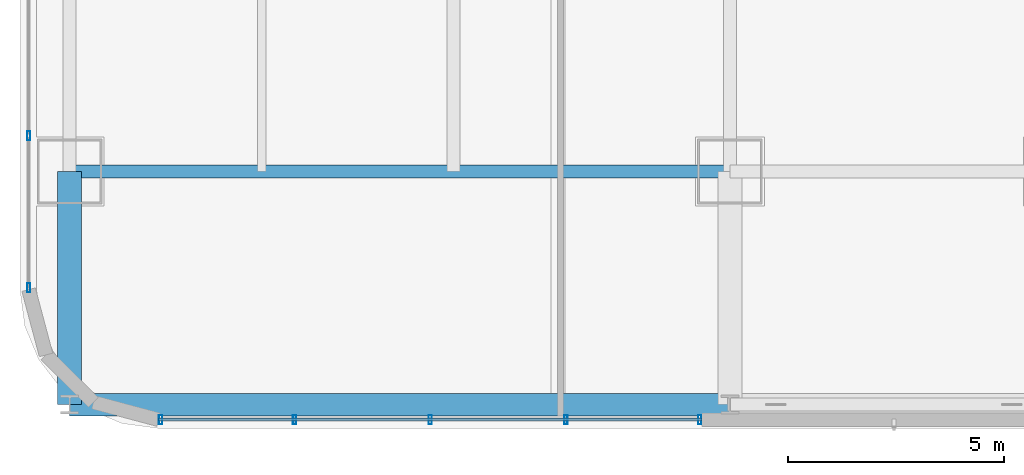
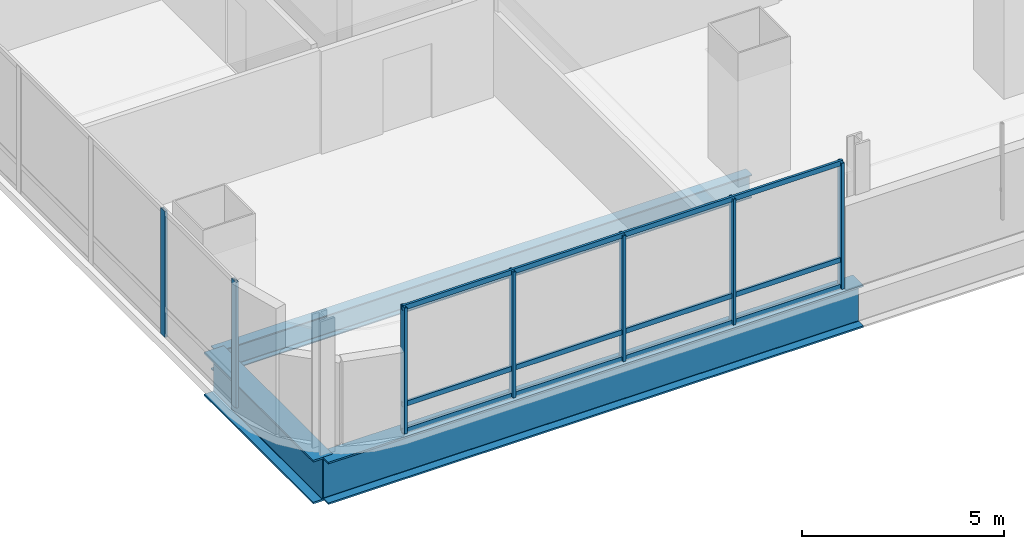
# One storey, part 2 of 40: 10 members, 3 beams, 2 elements without a shape of their own.
"""IFC4 building model written with IfcOpenShell, lengths in metres."""

from ifc_helpers import new_model, si_unit, direction, frame, origin, origin_2d, place, context, subcontext, project, spatial, hollow_rectangle, i_section, extrude, material, material_profile, profile_set, type_object, element, aggregate, save


model = new_model("IFC4")

# Units and contexts
model_context = context("Model", 3, precision=1e-05, world=origin(), true_north=direction((0.0, 1.0)))
body_context = subcontext(model_context, "Body", "Model", "MODEL_VIEW")
ifc_project = project(units=[si_unit("LENGTHUNIT", "METRE"), si_unit("AREAUNIT", "SQUARE_METRE"), si_unit("VOLUMEUNIT", "CUBIC_METRE"), si_unit("PLANEANGLEUNIT", "RADIAN"), si_unit("MASSUNIT", "GRAM", prefix="KILO")], contexts=[model_context])

# Site, building, storey
site_placement = place(None, origin())
site = spatial("IfcSite", under=ifc_project, at=site_placement, CompositionType="ELEMENT")
building_placement = place(site_placement, origin())
building = spatial("IfcBuilding", under=site, at=building_placement, Name="Punatoya Terracotta Tower", CompositionType="ELEMENT")
storey_placement = place(building_placement, frame((0.0, 0.0, 76.800048828125)))
storey = spatial("IfcBuildingStorey", under=building, at=storey_placement, Name="L17", CompositionType="ELEMENT", Elevation=76.800048828125)

# Beams
ifc_material_1 = material(Name="Steel S355", Category="steel")
ifc_material_profile_1 = material_profile(ifc_material_1, i_section(OverallWidth=0.300048828125, OverallDepth=0.699951171875, WebThickness=0.01708984375, FlangeThickness=0.031982421875, FilletRadius=0.01806640625, at=origin_2d()))
ifc_profile_set_1 = profile_set([ifc_material_profile_1], Name="Steel S355")
beam_type_1 = type_object("IfcBeamType", Name="BM-PRI-700", PredefinedType="BEAM", material=ifc_profile_set_1)
beam_1_placement = place(storey_placement, frame((-19.10009765625, -17.5, -0.590087890625), z_axis=(1.0, 0.0, 0.0), x_axis=(0.0, 1.0, 0.0)))
element("IfcBeam", 1, at=beam_1_placement, inside=storey, type_object=beam_type_1, Name="BM-L17-RG-S1", PredefinedType="BEAM", context=body_context, shape_type="SweptSolid", body=[
    extrude(i_section(OverallWidth=0.300048828125, OverallDepth=0.699951171875, WebThickness=0.01708984375, FlangeThickness=0.031982421875, FilletRadius=0.01806640625, at=origin_2d()), origin(), (0.0, 0.0, 1.0), 15.300048828125),
])
ifc_material_2 = material(Name="Steel S460", Category="steel")
ifc_material_profile_2 = material_profile(ifc_material_2, i_section(OverallWidth=0.56005859375, OverallDepth=1.320068359375, WebThickness=0.035888671875, FlangeThickness=0.054931640625, FilletRadius=0.01806640625, at=origin_2d()))
ifc_profile_set_2 = profile_set([ifc_material_profile_2], Name="Steel S460")
beam_type_2 = type_object("IfcBeamType", Name="BM-TG-BLK", PredefinedType="BEAM", material=ifc_profile_set_2)
beam_2_placement = place(storey_placement, frame((-19.10009765625, -22.89990234375, -0.900146484375), z_axis=(0.0, 1.0, 0.0), x_axis=(-1.0, 0.0, 0.0)))
element("IfcBeam", 2, at=beam_2_placement, inside=storey, type_object=beam_type_2, Name="BM-L17-CANT-S1", PredefinedType="BEAM", context=body_context, shape_type="SweptSolid", body=[
    extrude(i_section(OverallWidth=0.56005859375, OverallDepth=1.320068359375, WebThickness=0.035888671875, FlangeThickness=0.054931640625, FilletRadius=0.01806640625, at=origin_2d()), origin(), (0.0, 0.0, 1.0), 5.39990234375),
])
ifc_material_profile_3 = material_profile(ifc_material_2, i_section(OverallWidth=0.52001953125, OverallDepth=1.280029296875, WebThickness=0.031982421875, FlangeThickness=0.050048828125, FilletRadius=0.01806640625, at=origin_2d()))
ifc_profile_set_3 = profile_set([ifc_material_profile_3], Name="Steel S460")
beam_type_3 = type_object("IfcBeamType", Name="BM-TG-NCK", PredefinedType="BEAM", material=ifc_profile_set_3)
beam_3_placement = place(storey_placement, frame((-19.10009765625, -22.89990234375, -0.880126953125), z_axis=(1.0, 0.0, 0.0), x_axis=(0.0, 1.0, 0.0)))
element("IfcBeam", 3, at=beam_3_placement, inside=storey, type_object=beam_type_3, Name="BM-L17-PER-S1", PredefinedType="BEAM", context=body_context, shape_type="SweptSolid", body=[
    extrude(i_section(OverallWidth=0.52001953125, OverallDepth=1.280029296875, WebThickness=0.031982421875, FlangeThickness=0.050048828125, FilletRadius=0.01806640625, at=origin_2d()), origin(), (0.0, 0.0, 1.0), 15.300048828125),
])

# Curtain wall, members
ifc_material_3 = material(Name="Aluminium 6063-T6 + Double Low-E Glass", Category="aluminium")
curtain_wall_type = type_object("IfcCurtainWallType", Name="CW-M1", PredefinedType="NOTDEFINED", material=ifc_material_3)
curtain_wall_1_placement = place(storey_placement, origin())
curtain_wall_1 = element("IfcCurtainWall", 4, at=curtain_wall_1_placement, inside=storey, type_object=curtain_wall_type, Name="L17 Curtain Wall CW-L17-S01-1", PredefinedType="NOTDEFINED")
ifc_material_4 = material(Name="Aluminium 6063-T6", Category="aluminium")
ifc_material_profile_4 = material_profile(ifc_material_4, hollow_rectangle(XDim=0.074951171875, YDim=0.2099609375, WallThickness=0.00439453125, at=origin_2d()))
ifc_profile_set_4 = profile_set([ifc_material_profile_4], Name="Aluminium 6063-T6")
member_type_1 = type_object("IfcMemberType", Name="CW-MUL-M1", PredefinedType="MULLION", material=ifc_profile_set_4)
member_1_placement = place(storey_placement, frame((-16.991943359375, -23.25, 0.0), z_axis=(0.0, 0.0, 1.0), x_axis=(1.0, 0.0, 0.0)))
member_1 = element("IfcMember", 5, at=member_1_placement, type_object=member_type_1, Name="CW-L17-S01-1 Mullion 00", PredefinedType="MULLION", context=body_context, shape_type="SweptSolid", body=[
    extrude(hollow_rectangle(XDim=0.074951171875, YDim=0.2099609375, WallThickness=0.00439453125, at=origin_2d()), origin(), (0.0, 0.0, 1.0), 3.81005859375),
])
member_2_placement = place(storey_placement, frame((-13.89013671875, -23.25, 0.0), z_axis=(0.0, 0.0, 1.0), x_axis=(1.0, 0.0, 0.0)))
member_2 = element("IfcMember", 6, at=member_2_placement, type_object=member_type_1, Name="CW-L17-S01-1 Mullion 01", PredefinedType="MULLION", context=body_context, shape_type="SweptSolid", body=[
    extrude(hollow_rectangle(XDim=0.074951171875, YDim=0.2099609375, WallThickness=0.00439453125, at=origin_2d()), origin(), (0.0, 0.0, 1.0), 3.81005859375),
])
member_3_placement = place(storey_placement, frame((-10.743408203125, -23.25, 0.0), z_axis=(0.0, 0.0, 1.0), x_axis=(1.0, 0.0, 0.0)))
member_3 = element("IfcMember", 7, at=member_3_placement, type_object=member_type_1, Name="CW-L17-S01-1 Mullion 02", PredefinedType="MULLION", context=body_context, shape_type="SweptSolid", body=[
    extrude(hollow_rectangle(XDim=0.074951171875, YDim=0.2099609375, WallThickness=0.00439453125, at=origin_2d()), origin(), (0.0, 0.0, 1.0), 3.81005859375),
])
member_4_placement = place(storey_placement, frame((-7.5966796875, -23.25, 0.0), z_axis=(0.0, 0.0, 1.0), x_axis=(1.0, 0.0, 0.0)))
member_4 = element("IfcMember", 8, at=member_4_placement, type_object=member_type_1, Name="CW-L17-S01-1 Mullion 03", PredefinedType="MULLION", context=body_context, shape_type="SweptSolid", body=[
    extrude(hollow_rectangle(XDim=0.074951171875, YDim=0.2099609375, WallThickness=0.00439453125, at=origin_2d()), origin(), (0.0, 0.0, 1.0), 3.81005859375),
])
member_5_placement = place(storey_placement, frame((-4.4951171875, -23.25, 0.0), z_axis=(0.0, 0.0, 1.0), x_axis=(1.0, 0.0, 0.0)))
member_5 = element("IfcMember", 9, at=member_5_placement, type_object=member_type_1, Name="CW-L17-S01-1 Mullion 04", PredefinedType="MULLION", context=body_context, shape_type="SweptSolid", body=[
    extrude(hollow_rectangle(XDim=0.074951171875, YDim=0.2099609375, WallThickness=0.00439453125, at=origin_2d()), origin(), (0.0, 0.0, 1.0), 3.81005859375),
])

curtain_wall_2_placement = place(storey_placement, origin())
curtain_wall_2 = element("IfcCurtainWall", 10, at=curtain_wall_2_placement, inside=storey, type_object=curtain_wall_type, Name="L17 Curtain Wall CW-L17-W13-1", PredefinedType="NOTDEFINED")
member_6_placement = place(storey_placement, frame((-20.050048828125, -16.66943359375, 0.0), z_axis=(0.0, 0.0, 1.0), x_axis=(1.0, 0.0, 0.0)))
member_6 = element("IfcMember", 11, at=member_6_placement, type_object=member_type_1, Name="CW-L17-W13-1 Mullion 09", PredefinedType="MULLION", context=body_context, shape_type="SweptSolid", body=[
    extrude(hollow_rectangle(XDim=0.074951171875, YDim=0.2099609375, WallThickness=0.00439453125, at=origin_2d()), origin(), (0.0, 0.0, 1.0), 3.81005859375),
])
member_7_placement = place(storey_placement, frame((-20.050048828125, -20.19189453125, 0.0), z_axis=(0.0, 0.0, 1.0), x_axis=(1.0, 0.0, 0.0)))
member_7 = element("IfcMember", 12, at=member_7_placement, type_object=member_type_1, Name="CW-L17-W13-1 Mullion 10", PredefinedType="MULLION", context=body_context, shape_type="SweptSolid", body=[
    extrude(hollow_rectangle(XDim=0.074951171875, YDim=0.2099609375, WallThickness=0.00439453125, at=origin_2d()), origin(), (0.0, 0.0, 1.0), 3.81005859375),
])
aggregate(curtain_wall_2, [member_6, member_7])

# Member
ifc_material_profile_5 = material_profile(ifc_material_4, hollow_rectangle(XDim=0.068115234375, YDim=0.14990234375, WallThickness=0.00390625, at=origin_2d()))
ifc_profile_set_5 = profile_set([ifc_material_profile_5], Name="Aluminium 6063-T6")
member_type_2 = type_object("IfcMemberType", Name="CW-TRN-TYP", PredefinedType="USERDEFINED", material=ifc_profile_set_5)
member_8_placement = place(storey_placement, frame((-17.036865234375, -23.25, 0.0400390625), z_axis=(1.0, 0.0, 0.0), x_axis=(0.0, 1.0, 0.0)))
member_8 = element("IfcMember", 13, at=member_8_placement, type_object=member_type_2, Name="CW-L17-S01-1 Transom 1", ObjectType="TRANSOM", PredefinedType="USERDEFINED", context=body_context, shape_type="SweptSolid", body=[
    extrude(hollow_rectangle(XDim=0.068115234375, YDim=0.14990234375, WallThickness=0.00390625, at=origin_2d()), origin(), (0.0, 0.0, 1.0), 12.5869140625),
])

member_9_placement = place(storey_placement, frame((-17.036865234375, -23.25, 0.849853515625), z_axis=(1.0, 0.0, 0.0), x_axis=(0.0, 1.0, 0.0)))
member_9 = element("IfcMember", 14, at=member_9_placement, type_object=member_type_2, Name="CW-L17-S01-1 Transom 2", ObjectType="TRANSOM", PredefinedType="USERDEFINED", context=body_context, shape_type="SweptSolid", body=[
    extrude(hollow_rectangle(XDim=0.068115234375, YDim=0.14990234375, WallThickness=0.00390625, at=origin_2d()), origin(), (0.0, 0.0, 1.0), 12.5869140625),
])

member_10_placement = place(storey_placement, frame((-17.036865234375, -23.25, 3.77001953125), z_axis=(1.0, 0.0, 0.0), x_axis=(0.0, 1.0, 0.0)))
member_10 = element("IfcMember", 15, at=member_10_placement, type_object=member_type_2, Name="CW-L17-S01-1 Transom 3", ObjectType="TRANSOM", PredefinedType="USERDEFINED", context=body_context, shape_type="SweptSolid", body=[
    extrude(hollow_rectangle(XDim=0.068115234375, YDim=0.14990234375, WallThickness=0.00390625, at=origin_2d()), origin(), (0.0, 0.0, 1.0), 12.5869140625),
])

aggregate(curtain_wall_1, [member_1, member_2, member_3, member_4, member_5, member_8, member_9, member_10])

save(model, "model.ifc")
